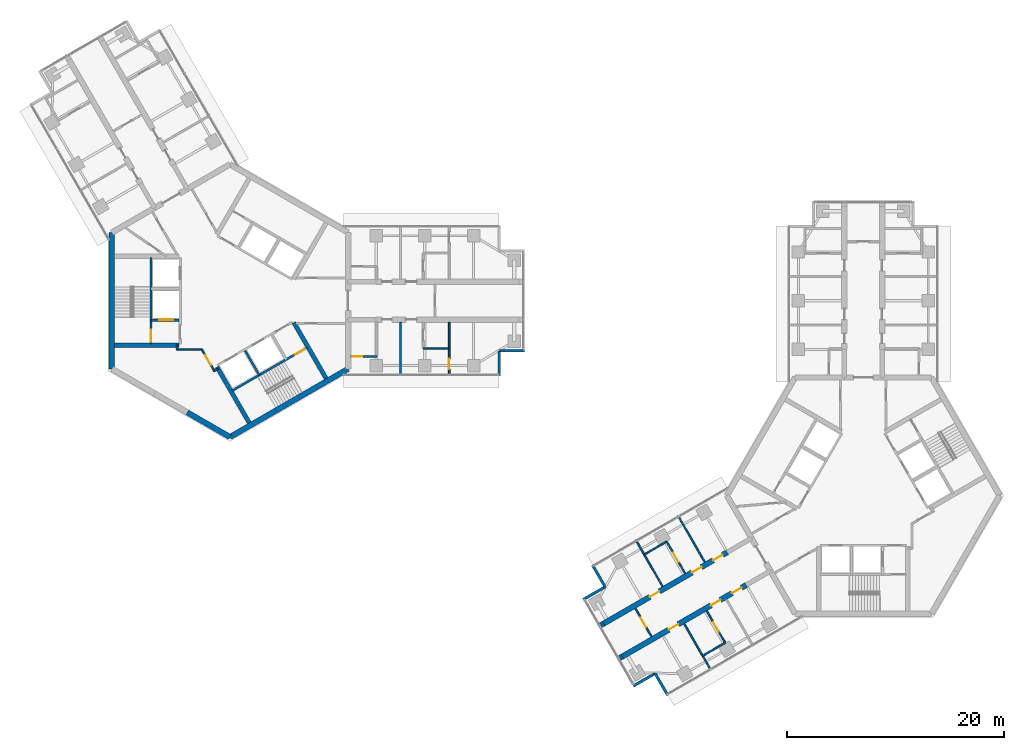
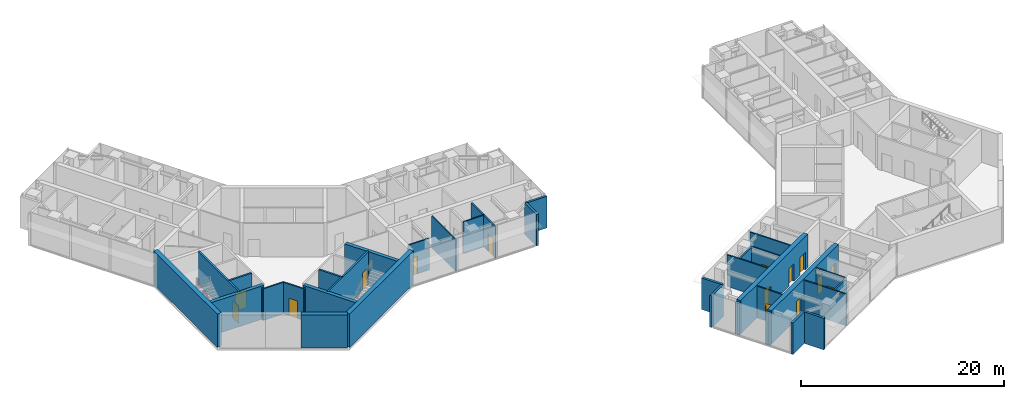
# One storey, part 11 of 17: 36 walls, 15 doors, 15 openings.
"""IFC4 building model written with IfcOpenShell, lengths in metres."""

from ifc_helpers import new_model, si_unit, direction, frame, frame_2d, origin, place, context, subcontext, project, spatial, rectangle, extrude, material, layer, layer_set, type_object, element, fill, save


model = new_model("IFC4")

# Units and contexts
model_context = context("Model", 3, precision=1e-05, world=origin(), true_north=direction((0.0, 1.0)))
body_context = subcontext(model_context, "Body", "Model", "MODEL_VIEW")
ifc_project = project(units=[si_unit("LENGTHUNIT", "METRE"), si_unit("AREAUNIT", "SQUARE_METRE"), si_unit("VOLUMEUNIT", "CUBIC_METRE"), si_unit("PLANEANGLEUNIT", "RADIAN"), si_unit("MASSUNIT", "GRAM", prefix="KILO")], contexts=[model_context])

# Site, building, storey
site_placement = place(None, origin())
site = spatial("IfcSite", under=ifc_project, at=site_placement, CompositionType="ELEMENT")
building_placement = place(site_placement, origin())
building = spatial("IfcBuilding", under=site, at=building_placement, Name="Upepo Twin Towers", CompositionType="ELEMENT")
storey_placement = place(building_placement, frame((0.0, 0.0, 206.5)))
storey = spatial("IfcBuildingStorey", under=building, at=storey_placement, Name="L50", CompositionType="ELEMENT", Elevation=206.5)

# Walls
ifc_material_1 = material(Name="Dense concrete blockwork", Category="masonry")
ifc_layer_1 = layer(ifc_material_1, 0.5)
ifc_layer_set_1 = layer_set([ifc_layer_1], Name="Buttress closer 500, blockwork with fire-stopping to the curtain wall")
wall_type_1 = type_object("IfcWallType", Name="Buttress closer 500, blockwork with fire-stopping to the curtain wall", PredefinedType="PARTITIONING", material=ifc_layer_set_1)
for number, where, z_axis, x_axis, name in (
    (1, (36.252197265625, -32.865478515625, 0.0), (0.0, 0.0, 1.0), (-0.86598763626, -0.500065409566, 0.0), "T2 L50 wing B buttress closer L"),
    (2, (34.502197265625, -29.83447265625, 0.0), (0.0, 0.0, 1.0), (-0.86598763626, -0.500065409566, 0.0), "T2 L50 wing B buttress closer R"),
):
    element("IfcWall", number, at=place(storey_placement, frame(where, z_axis=z_axis, x_axis=x_axis)), inside=storey, type_object=wall_type_1, Name=name, PredefinedType="PARTITIONING", context=body_context, shape_type="SweptSolid", body=[
        extrude(rectangle(XDim=0.28759765625, YDim=0.5, at=frame_2d((0.143798828125, 0.0))), origin(), (0.0, 0.0, 1.0), 3.800048828125),
    ])

# Wall, openings, doors
ifc_material_2 = material(Name="Concrete C60/75", Category="concrete")
ifc_layer_2 = layer(ifc_material_2, 0.5)
ifc_layer_set_2 = layer_set([ifc_layer_2], Name="Concrete C60/75")
wall_type_2 = type_object("IfcWallType", Name="Buttress wall 500 RC", PredefinedType="SHEAR", material=ifc_layer_set_2)
wall_1_placement = place(storey_placement, frame((47.68359375, -26.265625, 0.0), z_axis=(0.0, 0.0, 1.0), x_axis=(-0.866027579429, -0.499996231654, 0.0)))
wall_1 = element("IfcWall", 3, at=wall_1_placement, inside=storey, type_object=wall_type_2, Name="T2 wing B buttress wall L part 2", PredefinedType="SHEAR", context=body_context, shape_type="SweptSolid", body=[
    extrude(rectangle(XDim=13.19970703125, YDim=0.5, at=frame_2d((6.599853515625, 0.0))), origin(), (0.0, 0.0, 1.0), 4.0),
])
opening_1_placement = place(wall_1_placement, frame((0.5, 0.0, 0.0)))
opening_1 = element("IfcOpeningElement", 4, at=opening_1_placement, cuts=wall_1, Name="Opening D1", PredefinedType="OPENING", context=body_context, shape_type="SweptSolid", body=[
    extrude(rectangle(XDim=1.0, YDim=2.10009765625, at=frame_2d((0.5, 1.050048828125))), frame((0.0, 0.260009765625, 0.0), z_axis=(0.0, -1.0, 0.0), x_axis=(1.0, 0.0, 0.0)), (0.0, 0.0, 1.0), 0.52001953125),
])
opening_2_placement = place(wall_1_placement, frame((2.75, 0.0, 0.0)))
opening_2 = element("IfcOpeningElement", 5, at=opening_2_placement, cuts=wall_1, Name="Opening D1", PredefinedType="OPENING", context=body_context, shape_type="SweptSolid", body=[
    extrude(rectangle(XDim=1.0, YDim=2.10009765625, at=frame_2d((0.5, 1.050048828125))), frame((0.0, 0.260009765625, 0.0), z_axis=(0.0, -1.0, 0.0), x_axis=(1.0, 0.0, 0.0)), (0.0, 0.0, 1.0), 0.52001953125),
])
opening_3_placement = place(wall_1_placement, frame((7.25, 0.0, 0.0)))
opening_3 = element("IfcOpeningElement", 6, at=opening_3_placement, cuts=wall_1, Name="Opening D1", PredefinedType="OPENING", context=body_context, shape_type="SweptSolid", body=[
    extrude(rectangle(XDim=1.0, YDim=2.10009765625, at=frame_2d((0.5, 1.050048828125))), frame((0.0, 0.260009765625, 0.0), z_axis=(0.0, -1.0, 0.0), x_axis=(1.0, 0.0, 0.0)), (0.0, 0.0, 1.0), 0.52001953125),
])
ifc_material_3 = material(Name="Timber doorset", Category="wood")
door_type_1 = type_object("IfcDoorType", Name="Room door 1000 FD30", OperationType="SINGLE_SWING_LEFT", PredefinedType="DOOR", material=ifc_material_3)
door_1_placement = place(opening_1_placement, origin())
door_1 = element("IfcDoor", 7, at=door_1_placement, inside=storey, type_object=door_type_1, Name="T2 L50 tutorial room door", OperationType="SINGLE_SWING_LEFT", OverallHeight=2.10009765625, OverallWidth=1.0, PredefinedType="DOOR", context=body_context, shape_type="SweptSolid", body=[
    extrude(rectangle(XDim=1.0, YDim=2.10009765625, at=frame_2d((0.5, 1.050048828125))), frame((0.0, 0.02490234375, 0.0), z_axis=(0.0, -1.0, 0.0), x_axis=(1.0, 0.0, 0.0)), (0.0, 0.0, 1.0), 0.050048828125),
])
fill(opening_1, door_1)
door_2_placement = place(opening_2_placement, origin())
door_2 = element("IfcDoor", 8, at=door_2_placement, inside=storey, type_object=door_type_1, Name="T2 L50 staff office door", OperationType="SINGLE_SWING_LEFT", OverallHeight=2.10009765625, OverallWidth=1.0, PredefinedType="DOOR", context=body_context, shape_type="SweptSolid", body=[
    extrude(rectangle(XDim=1.0, YDim=2.10009765625, at=frame_2d((0.5, 1.050048828125))), frame((0.0, 0.02490234375, 0.0), z_axis=(0.0, -1.0, 0.0), x_axis=(1.0, 0.0, 0.0)), (0.0, 0.0, 1.0), 0.050048828125),
])
fill(opening_2, door_2)
door_3_placement = place(opening_3_placement, origin())
door_3 = element("IfcDoor", 9, at=door_3_placement, inside=storey, type_object=door_type_1, Name="T2 L50 seminar room door", OperationType="SINGLE_SWING_RIGHT", OverallHeight=2.10009765625, OverallWidth=1.0, PredefinedType="DOOR", context=body_context, shape_type="SweptSolid", body=[
    extrude(rectangle(XDim=1.0, YDim=2.10009765625, at=frame_2d((0.5, 1.050048828125))), frame((0.0, 0.02490234375, 0.0), z_axis=(0.0, -1.0, 0.0), x_axis=(1.0, 0.0, 0.0)), (0.0, 0.0, 1.0), 0.050048828125),
])
fill(opening_3, door_3)

wall_2_placement = place(storey_placement, frame((45.93359375, -23.234375, 0.0), z_axis=(0.0, 0.0, 1.0), x_axis=(-0.866019570528, -0.500010103361, 0.0)))
wall_2 = element("IfcWall", 10, at=wall_2_placement, inside=storey, type_object=wall_type_2, Name="T2 wing B buttress wall R part 2", PredefinedType="SHEAR", context=body_context, shape_type="SweptSolid", body=[
    extrude(rectangle(XDim=13.199951171875, YDim=0.5, at=frame_2d((6.60009765625, 0.0))), origin(), (0.0, 0.0, 1.0), 4.0),
])
opening_4_placement = place(wall_2_placement, frame((0.5, 0.0, 0.0)))
opening_4 = element("IfcOpeningElement", 11, at=opening_4_placement, cuts=wall_2, Name="Opening D1", PredefinedType="OPENING", context=body_context, shape_type="SweptSolid", body=[
    extrude(rectangle(XDim=1.0, YDim=2.10009765625, at=frame_2d((0.5, 1.050048828125))), frame((0.0, 0.260009765625, 0.0), z_axis=(0.0, -1.0, 0.0), x_axis=(1.0, 0.0, 0.0)), (0.0, 0.0, 1.0), 0.52001953125),
])
opening_5_placement = place(wall_2_placement, frame((2.75, 0.0, 0.0)))
opening_5 = element("IfcOpeningElement", 12, at=opening_5_placement, cuts=wall_2, Name="Opening D1", PredefinedType="OPENING", context=body_context, shape_type="SweptSolid", body=[
    extrude(rectangle(XDim=1.0, YDim=2.10009765625, at=frame_2d((0.5, 1.050048828125))), frame((0.0, 0.260009765625, 0.0), z_axis=(0.0, -1.0, 0.0), x_axis=(1.0, 0.0, 0.0)), (0.0, 0.0, 1.0), 0.52001953125),
])
opening_6_placement = place(wall_2_placement, frame((7.25, 0.0, 0.0)))
opening_6 = element("IfcOpeningElement", 13, at=opening_6_placement, cuts=wall_2, Name="Opening D1", PredefinedType="OPENING", context=body_context, shape_type="SweptSolid", body=[
    extrude(rectangle(XDim=1.0, YDim=2.10009765625, at=frame_2d((0.5, 1.050048828125))), frame((0.0, 0.260009765625, 0.0), z_axis=(0.0, -1.0, 0.0), x_axis=(1.0, 0.0, 0.0)), (0.0, 0.0, 1.0), 0.52001953125),
])
door_4_placement = place(opening_4_placement, origin())
door_4 = element("IfcDoor", 14, at=door_4_placement, inside=storey, type_object=door_type_1, Name="T2 L50 tutorial room door", OperationType="SINGLE_SWING_LEFT", OverallHeight=2.10009765625, OverallWidth=1.0, PredefinedType="DOOR", context=body_context, shape_type="SweptSolid", body=[
    extrude(rectangle(XDim=1.0, YDim=2.10009765625, at=frame_2d((0.5, 1.050048828125))), frame((0.0, 0.02490234375, 0.0), z_axis=(0.0, -1.0, 0.0), x_axis=(1.0, 0.0, 0.0)), (0.0, 0.0, 1.0), 0.050048828125),
])
fill(opening_4, door_4)
door_5_placement = place(opening_5_placement, origin())
door_5 = element("IfcDoor", 15, at=door_5_placement, inside=storey, type_object=door_type_1, Name="T2 L50 tutorial room door", OperationType="SINGLE_SWING_LEFT", OverallHeight=2.10009765625, OverallWidth=1.0, PredefinedType="DOOR", context=body_context, shape_type="SweptSolid", body=[
    extrude(rectangle(XDim=1.0, YDim=2.10009765625, at=frame_2d((0.5, 1.050048828125))), frame((0.0, 0.02490234375, 0.0), z_axis=(0.0, -1.0, 0.0), x_axis=(1.0, 0.0, 0.0)), (0.0, 0.0, 1.0), 0.050048828125),
])
fill(opening_5, door_5)
door_6_placement = place(opening_6_placement, origin())
door_6 = element("IfcDoor", 16, at=door_6_placement, inside=storey, type_object=door_type_1, Name="T2 L50 staff office door", OperationType="SINGLE_SWING_RIGHT", OverallHeight=2.10009765625, OverallWidth=1.0, PredefinedType="DOOR", context=body_context, shape_type="SweptSolid", body=[
    extrude(rectangle(XDim=1.0, YDim=2.10009765625, at=frame_2d((0.5, 1.050048828125))), frame((0.0, 0.02490234375, 0.0), z_axis=(0.0, -1.0, 0.0), x_axis=(1.0, 0.0, 0.0)), (0.0, 0.0, 1.0), 0.050048828125),
])
fill(opening_6, door_6)

# Walls
ifc_material_4 = material(Name="Concrete C60/75", Category="concrete")
ifc_layer_3 = layer(ifc_material_4, 0.5)
ifc_layer_set_3 = layer_set([ifc_layer_3], Name="Concrete C60/75")
wall_type_3 = type_object("IfcWallType", Name="Core wall 500 RC", PredefinedType="SHEAR", material=ifc_layer_set_3)
wall_3_placement = place(storey_placement, frame((-10.908447265625, 6.2978515625, 0.0), z_axis=(0.0, 0.0, 1.0), x_axis=(0.0, -1.0, 0.0)))
element("IfcWall", 17, at=wall_3_placement, inside=storey, type_object=wall_type_3, Name="T1 core wall 180", PredefinedType="SHEAR", context=body_context, shape_type="SweptSolid", body=[
    extrude(rectangle(XDim=12.595703125, YDim=0.5, at=frame_2d((6.2978515625, 0.0))), origin(), (0.0, 0.0, 1.0), 4.0),
])
wall_4_placement = place(storey_placement, frame((-3.938720703125, -10.32177734375, 0.0), z_axis=(0.0, 0.0, 1.0), x_axis=(0.866011268655, -0.500024481964, 0.0)))
element("IfcWall", 18, at=wall_4_placement, inside=storey, type_object=wall_type_3, Name="T1 core wall 240 L", PredefinedType="SHEAR", context=body_context, shape_type="SweptSolid", body=[
    extrude(rectangle(XDim=4.548095703125, YDim=0.5, at=frame_2d((2.27392578125, 0.0))), origin(), (0.0, 0.0, 1.0), 4.0),
])
wall_5_placement = place(storey_placement, frame((0.0, -12.595947265625, 0.0), z_axis=(0.0, 0.0, 1.0), x_axis=(0.866021940709, 0.500005998175, 0.0)))
element("IfcWall", 19, at=wall_5_placement, inside=storey, type_object=wall_type_3, Name="T1 core wall 300", PredefinedType="SHEAR", context=body_context, shape_type="SweptSolid", body=[
    extrude(rectangle(XDim=12.595947265625, YDim=0.5, at=frame_2d((6.2978515625, 0.0))), origin(), (0.0, 0.0, 1.0), 4.0),
])
ifc_material_5 = material(Name="Blockwork with anodised aluminium cladding", Category="masonry")
ifc_layer_4 = layer(ifc_material_5, 0.25)
ifc_layer_set_4 = layer_set([ifc_layer_4], Name="Notch cladding wall 250, pale metal")
wall_type_4 = type_object("IfcWallType", Name="Notch cladding wall 250, pale metal", PredefinedType="STANDARD", material=ifc_layer_set_4)
for number, where, z_axis, x_axis, name in (
    (20, (24.875, -6.949951171875, 0.0), (0.0, 0.0, 1.0), (0.0, 1.0, 0.0), "T1 L50 wing A notch wall R1"),
    (21, (24.875, -4.625, 0.0), (0.0, 0.0, 1.0), (1.0, 0.0, 0.0), "T1 L50 wing A notch wall R2"),
    (22, (40.4326171875, -36.456298828125, 0.0), (0.0, 0.0, 1.0), (-0.500046648681, 0.865998469481, 0.0), "T2 L50 wing B notch wall L1"),
    (23, (39.27001953125, -34.44287109375, 0.0), (0.0, 0.0, 1.0), (-0.865998469481, -0.500046648681, 0.0), "T2 L50 wing B notch wall L2"),
    (24, (33.482666015625, -24.418701171875, 0.0), (0.0, 0.0, 1.0), (0.499967891604, -0.866043940782, 0.0), "T2 L50 wing B notch wall R1"),
    (25, (34.64501953125, -26.43212890625, 0.0), (0.0, 0.0, 1.0), (-0.865998469481, -0.500046648681, 0.0), "T2 L50 wing B notch wall R2"),
):
    element("IfcWall", number, at=place(storey_placement, frame(where, z_axis=z_axis, x_axis=x_axis)), inside=storey, type_object=wall_type_4, Name=name, PredefinedType="STANDARD", context=body_context, shape_type="SweptSolid", body=[
        extrude(rectangle(XDim=2.324951171875, YDim=0.25, at=frame_2d((1.16259765625, 0.0))), origin(), (0.0, 0.0, 1.0), 3.800048828125),
    ])

# Wall, opening, door
ifc_material_6 = material(Name="Concrete C40/50", Category="concrete")
ifc_layer_5 = layer(ifc_material_6, 0.199951171875)
ifc_layer_set_5 = layer_set([ifc_layer_5], Name="Concrete C40/50")
wall_type_5 = type_object("IfcWallType", Name="Shaft wall 200 RC", PredefinedType="SHEAR", material=ifc_layer_set_5)
wall_6_placement = place(storey_placement, frame((-4.699951171875, -1.800048828125, 0.0), z_axis=(0.0, 0.0, 1.0), x_axis=(-1.0, 0.0, 0.0)))
wall_6 = element("IfcWall", 26, at=wall_6_placement, inside=storey, type_object=wall_type_5, Name="T1 core W180 lobby wall", PredefinedType="SHEAR", context=body_context, shape_type="SweptSolid", body=[
    extrude(rectangle(XDim=2.60009765625, YDim=0.199951171875, at=frame_2d((1.300048828125, 0.0))), origin(), (0.0, 0.0, 1.0), 4.0),
])
opening_7_placement = place(wall_6_placement, frame((0.550048828125, 0.0, 0.0)))
opening_7 = element("IfcOpeningElement", 27, at=opening_7_placement, cuts=wall_6, Name="Opening LD2", PredefinedType="OPENING", context=body_context, shape_type="SweptSolid", body=[
    extrude(rectangle(XDim=1.300048828125, YDim=2.199951171875, at=frame_2d((0.64990234375, 1.10009765625))), frame((0.0, 0.10986328125, 0.0), z_axis=(0.0, -1.0, 0.0), x_axis=(1.0, 0.0, 0.0)), (0.0, 0.0, 1.0), 0.219970703125),
])
ifc_material_7 = material(Name="Steel doorset", Category="steel")
door_type_2 = type_object("IfcDoorType", Name="Firefighting lift landing door 1300", OperationType="DOUBLE_DOOR_SLIDING", PredefinedType="DOOR", material=ifc_material_7)
door_7_placement = place(opening_7_placement, origin())
door_7 = element("IfcDoor", 28, at=door_7_placement, inside=storey, type_object=door_type_2, Name="T1 L50 firefighting lift landing door", OperationType="DOUBLE_DOOR_SLIDING", OverallHeight=2.199951171875, OverallWidth=1.300048828125, PredefinedType="DOOR", context=body_context, shape_type="SweptSolid", body=[
    extrude(rectangle(XDim=1.300048828125, YDim=2.199951171875, at=frame_2d((0.64990234375, 1.10009765625))), frame((0.0, 0.02490234375, 0.0), z_axis=(0.0, -1.0, 0.0), x_axis=(1.0, 0.0, 0.0)), (0.0, 0.0, 1.0), 0.050048828125),
])
fill(opening_7, door_7)

wall_7_placement = place(storey_placement, frame((-7.300048828125, 4.0, 0.0), z_axis=(0.0, 0.0, 1.0), x_axis=(0.0, -1.0, 0.0)))
wall_7 = element("IfcWall", 29, at=wall_7_placement, inside=storey, type_object=wall_type_5, Name="T1 core W180 stair wall", PredefinedType="SHEAR", context=body_context, shape_type="SweptSolid", body=[
    extrude(rectangle(XDim=8.0, YDim=0.199951171875, at=frame_2d((4.0, 0.0))), origin(), (0.0, 0.0, 1.0), 4.0),
])
opening_8_placement = place(wall_7_placement, frame((6.699951171875, 0.0, 0.0)))
opening_8 = element("IfcOpeningElement", 30, at=opening_8_placement, cuts=wall_7, Name="Opening D3", PredefinedType="OPENING", context=body_context, shape_type="SweptSolid", body=[
    extrude(rectangle(XDim=1.10009765625, YDim=2.10009765625, at=frame_2d((0.550048828125, 1.050048828125))), frame((0.0, 0.10986328125, 0.0), z_axis=(0.0, -1.0, 0.0), x_axis=(1.0, 0.0, 0.0)), (0.0, 0.0, 1.0), 0.219970703125),
])
ifc_material_8 = material(Name="Timber doorset", Category="wood")
door_type_3 = type_object("IfcDoorType", Name="Stair door 1100 FD60", OperationType="SINGLE_SWING_LEFT", PredefinedType="DOOR", material=ifc_material_8)
door_8_placement = place(opening_8_placement, origin())
door_8 = element("IfcDoor", 31, at=door_8_placement, inside=storey, type_object=door_type_3, Name="T1 L50 stair door", OperationType="SINGLE_SWING_RIGHT", OverallHeight=2.10009765625, OverallWidth=1.10009765625, PredefinedType="DOOR", context=body_context, shape_type="SweptSolid", body=[
    extrude(rectangle(XDim=1.10009765625, YDim=2.10009765625, at=frame_2d((0.550048828125, 1.050048828125))), frame((0.0, 0.02490234375, 0.0), z_axis=(0.0, -1.0, 0.0), x_axis=(1.0, 0.0, 0.0)), (0.0, 0.0, 1.0), 0.050048828125),
])
fill(opening_8, door_8)

# Wall
wall_8_placement = place(storey_placement, frame((1.3974609375, -4.620361328125, 0.0), z_axis=(0.0, 0.0, 1.0), x_axis=(0.499936506574, -0.866062058628, 0.0)))
element("IfcWall", 32, at=wall_8_placement, inside=storey, type_object=wall_type_5, Name="T1 core W300 shaft divider", PredefinedType="SHEAR", context=body_context, shape_type="SweptSolid", body=[
    extrude(rectangle(XDim=2.599853515625, YDim=0.199951171875, at=frame_2d((1.2998046875, 0.0))), origin(), (0.0, 0.0, 1.0), 4.0),
])

# Wall, opening, door
wall_9_placement = place(storey_placement, frame((0.185791015625, -8.322021484375, 0.0), z_axis=(0.0, 0.0, 1.0), x_axis=(0.866026010844, 0.49999894854, 0.0)))
wall_9 = element("IfcWall", 33, at=wall_9_placement, inside=storey, type_object=wall_type_5, Name="T1 core W300 stair wall", PredefinedType="SHEAR", context=body_context, shape_type="SweptSolid", body=[
    extrude(rectangle(XDim=8.0, YDim=0.199951171875, at=frame_2d((4.0, 0.0))), origin(), (0.0, 0.0, 1.0), 4.0),
])
opening_9_placement = place(wall_9_placement, frame((6.699951171875, 0.0, 0.0)))
opening_9 = element("IfcOpeningElement", 34, at=opening_9_placement, cuts=wall_9, Name="Opening D3", PredefinedType="OPENING", context=body_context, shape_type="SweptSolid", body=[
    extrude(rectangle(XDim=1.10009765625, YDim=2.10009765625, at=frame_2d((0.550048828125, 1.050048828125))), frame((0.0, 0.10986328125, 0.0), z_axis=(0.0, -1.0, 0.0), x_axis=(1.0, 0.0, 0.0)), (0.0, 0.0, 1.0), 0.219970703125),
])
door_9_placement = place(opening_9_placement, origin())
door_9 = element("IfcDoor", 35, at=door_9_placement, inside=storey, type_object=door_type_3, Name="T1 L50 stair door", OperationType="SINGLE_SWING_RIGHT", OverallHeight=2.10009765625, OverallWidth=1.10009765625, PredefinedType="DOOR", context=body_context, shape_type="SweptSolid", body=[
    extrude(rectangle(XDim=1.10009765625, YDim=2.10009765625, at=frame_2d((0.550048828125, 1.050048828125))), frame((0.0, 0.02490234375, 0.0), z_axis=(0.0, -1.0, 0.0), x_axis=(1.0, 0.0, 0.0)), (0.0, 0.0, 1.0), 0.050048828125),
])
fill(opening_9, door_9)

# Walls
ifc_material_9 = material(Name="Concrete C40/50", Category="concrete")
ifc_layer_6 = layer(ifc_material_9, 0.39990234375)
ifc_layer_set_6 = layer_set([ifc_layer_6], Name="Concrete C40/50")
wall_type_6 = type_object("IfcWallType", Name="Shaft wall 400 RC", PredefinedType="SHEAR", material=ifc_layer_set_6)
for number, where, z_axis, x_axis, name in (
    (36, (-4.699951171875, -4.10009765625, 0.0), (0.0, 0.0, 1.0), (-1.0, 0.0, 0.0), "T1 core W180 side wall N"),
    (37, (5.900634765625, -2.020263671875, 0.0), (0.0, 0.0, 1.0), (0.500003832394, -0.86602319114, 0.0), "T1 core W300 side wall N"),
):
    element("IfcWall", number, at=place(storey_placement, frame(where, z_axis=z_axis, x_axis=x_axis)), inside=storey, type_object=wall_type_6, Name=name, PredefinedType="SHEAR", context=body_context, shape_type="SweptSolid", body=[
        extrude(rectangle(XDim=5.95849609375, YDim=0.39990234375, at=frame_2d((2.979248046875, 0.0))), origin(), (0.0, 0.0, 1.0), 4.0),
    ])
wall_10_placement = place(storey_placement, frame((-1.20068359375, -6.120361328125, 0.0), z_axis=(0.0, 0.0, 1.0), x_axis=(0.500021575205, -0.866012946976, 0.0)))
element("IfcWall", 38, at=wall_10_placement, inside=storey, type_object=wall_type_6, Name="T1 core W300 side wall S", PredefinedType="SHEAR", context=body_context, shape_type="SweptSolid", body=[
    extrude(rectangle(XDim=5.958251953125, YDim=0.39990234375, at=frame_2d((2.97900390625, 0.0))), origin(), (0.0, 0.0, 1.0), 4.0),
])
ifc_material_10 = material(Name="Gypsum board on steel studs", Category="steel")
ifc_layer_7 = layer(ifc_material_10, 0.14990234375)
ifc_layer_set_7 = layer_set([ifc_layer_7], Name="Teaching partition 150 acoustic")
wall_type_7 = type_object("IfcWallType", Name="Teaching partition 150 acoustic", PredefinedType="PARTITIONING", material=ifc_layer_set_7)
wall_11_placement = place(storey_placement, frame((15.75, -2.0, 0.0), z_axis=(0.0, 0.0, 1.0), x_axis=(0.0, -1.0, 0.0)))
element("IfcWall", 39, at=wall_11_placement, inside=storey, type_object=wall_type_7, Name="T1 partition AR at 15.75", PredefinedType="PARTITIONING", context=body_context, shape_type="SweptSolid", body=[
    extrude(rectangle(XDim=4.75, YDim=0.14990234375, at=frame_2d((2.375, 0.0))), origin(), (0.0, 0.0, 1.0), 3.800048828125),
])

# Wall, opening, door
wall_12_placement = place(storey_placement, frame((20.25, -2.0, 0.0), z_axis=(0.0, 0.0, 1.0), x_axis=(0.0, -1.0, 0.0)))
wall_12 = element("IfcWall", 40, at=wall_12_placement, inside=storey, type_object=wall_type_7, Name="T1 partition AR at 20.25", PredefinedType="PARTITIONING", context=body_context, shape_type="SweptSolid", body=[
    extrude(rectangle(XDim=4.75, YDim=0.14990234375, at=frame_2d((2.375, 0.0))), origin(), (0.0, 0.0, 1.0), 3.800048828125),
])
opening_10_placement = place(wall_12_placement, frame((3.35009765625, 0.0, 0.0)))
opening_10 = element("IfcOpeningElement", 41, at=opening_10_placement, cuts=wall_12, Name="Opening D1", PredefinedType="OPENING", context=body_context, shape_type="SweptSolid", body=[
    extrude(rectangle(XDim=1.0, YDim=2.10009765625, at=frame_2d((0.5, 1.050048828125))), frame((0.0, 0.0849609375, 0.0), z_axis=(0.0, -1.0, 0.0), x_axis=(1.0, 0.0, 0.0)), (0.0, 0.0, 1.0), 0.169921875),
])
door_10_placement = place(opening_10_placement, origin())
door_10 = element("IfcDoor", 42, at=door_10_placement, inside=storey, type_object=door_type_1, Name="T1 L50 connecting door", OperationType="SINGLE_SWING_RIGHT", OverallHeight=2.10009765625, OverallWidth=1.0, PredefinedType="DOOR", context=body_context, shape_type="SweptSolid", body=[
    extrude(rectangle(XDim=1.0, YDim=2.10009765625, at=frame_2d((0.5, 1.050048828125))), frame((0.0, 0.02490234375, 0.0), z_axis=(0.0, -1.0, 0.0), x_axis=(1.0, 0.0, 0.0)), (0.0, 0.0, 1.0), 0.050048828125),
])
fill(opening_10, door_10)

# Wall
wall_13_placement = place(storey_placement, frame((17.85009765625, -4.39990234375, 0.0), z_axis=(0.0, 0.0, 1.0), x_axis=(1.0, 0.0, 0.0)))
element("IfcWall", 43, at=wall_13_placement, inside=storey, type_object=wall_type_7, Name="T1 inner room partition AR at 17.85", PredefinedType="PARTITIONING", context=body_context, shape_type="SweptSolid", body=[
    extrude(rectangle(XDim=2.39990234375, YDim=0.14990234375, at=frame_2d((1.199951171875, 0.0))), origin(), (0.0, 0.0, 1.0), 3.800048828125),
])

# Wall, opening, door
wall_14_placement = place(storey_placement, frame((11.157958984375, -5.14990234375, 0.0), z_axis=(0.0, 0.0, 1.0), x_axis=(1.0, 0.0, 0.0)))
wall_14 = element("IfcWall", 44, at=wall_14_placement, inside=storey, type_object=wall_type_7, Name="T1 WC bay partition AR at 11.16", PredefinedType="PARTITIONING", context=body_context, shape_type="SweptSolid", body=[
    extrude(rectangle(XDim=2.400146484375, YDim=0.14990234375, at=frame_2d((1.2001953125, 0.0))), origin(), (0.0, 0.0, 1.0), 3.800048828125),
])
opening_11_placement = place(wall_14_placement, frame((0.14990234375, 0.0, 0.0)))
opening_11 = element("IfcOpeningElement", 45, at=opening_11_placement, cuts=wall_14, Name="Opening D14", PredefinedType="OPENING", context=body_context, shape_type="SweptSolid", body=[
    extrude(rectangle(XDim=0.89990234375, YDim=2.10009765625, at=frame_2d((0.449951171875, 1.050048828125))), frame((0.0, 0.0849609375, 0.0), z_axis=(0.0, -1.0, 0.0), x_axis=(1.0, 0.0, 0.0)), (0.0, 0.0, 1.0), 0.169921875),
])
ifc_material_11 = material(Name="Timber doorset", Category="wood")
door_type_4 = type_object("IfcDoorType", Name="Office door 900 FD30", OperationType="SINGLE_SWING_LEFT", PredefinedType="DOOR", material=ifc_material_11)
door_11_placement = place(opening_11_placement, origin())
door_11 = element("IfcDoor", 46, at=door_11_placement, inside=storey, type_object=door_type_4, Name="T1 L50 WC bay inner room door", OperationType="SINGLE_SWING_LEFT", OverallHeight=2.10009765625, OverallWidth=0.89990234375, PredefinedType="DOOR", context=body_context, shape_type="SweptSolid", body=[
    extrude(rectangle(XDim=0.89990234375, YDim=2.10009765625, at=frame_2d((0.449951171875, 1.050048828125))), frame((0.0, 0.02490234375, 0.0), z_axis=(0.0, -1.0, 0.0), x_axis=(1.0, 0.0, 0.0)), (0.0, 0.0, 1.0), 0.050048828125),
])
fill(opening_11, door_11)

wall_15_placement = place(storey_placement, frame((-1.43701171875, -6.5107421875, 0.0), z_axis=(0.0, 0.0, 1.0), x_axis=(-0.500074377092, 0.865982457891, 0.0)))
wall_15 = element("IfcWall", 47, at=wall_15_placement, inside=storey, type_object=wall_type_7, Name="T1 core room partition 1", PredefinedType="PARTITIONING", context=body_context, shape_type="SweptSolid", body=[
    extrude(rectangle(XDim=2.342041015625, YDim=0.14990234375, at=frame_2d((1.1708984375, 0.0))), origin(), (0.0, 0.0, 1.0), 3.800048828125),
])
opening_12_placement = place(wall_15_placement, frame((0.6708984375, 0.0, 0.0)))
opening_12 = element("IfcOpeningElement", 48, at=opening_12_placement, cuts=wall_15, Name="Opening D1", PredefinedType="OPENING", context=body_context, shape_type="SweptSolid", body=[
    extrude(rectangle(XDim=1.0, YDim=2.10009765625, at=frame_2d((0.5, 1.050048828125))), frame((0.0, 0.0849609375, 0.0), z_axis=(0.0, -1.0, 0.0), x_axis=(1.0, 0.0, 0.0)), (0.0, 0.0, 1.0), 0.169921875),
])
door_12_placement = place(opening_12_placement, origin())
door_12 = element("IfcDoor", 49, at=door_12_placement, inside=storey, type_object=door_type_1, Name="T1 L50 core room door K1", OperationType="SINGLE_SWING_RIGHT", OverallHeight=2.10009765625, OverallWidth=1.0, PredefinedType="DOOR", context=body_context, shape_type="SweptSolid", body=[
    extrude(rectangle(XDim=1.0, YDim=2.10009765625, at=frame_2d((0.5, 1.050048828125))), frame((0.0, 0.02490234375, 0.0), z_axis=(0.0, -1.0, 0.0), x_axis=(1.0, 0.0, 0.0)), (0.0, 0.0, 1.0), 0.050048828125),
])
fill(opening_12, door_12)

# Walls
wall_16_placement = place(storey_placement, frame((-2.578125, -4.5, 0.0), z_axis=(0.0, 0.0, 1.0), x_axis=(-1.0, 0.0, 0.0)))
element("IfcWall", 50, at=wall_16_placement, inside=storey, type_object=wall_type_7, Name="T1 core room partition 2", PredefinedType="PARTITIONING", context=body_context, shape_type="SweptSolid", body=[
    extrude(rectangle(XDim=2.341796875, YDim=0.14990234375, at=frame_2d((1.1708984375, 0.0))), origin(), (0.0, 0.0, 1.0), 3.800048828125),
])
for number, where, z_axis, x_axis, name in (
    (51, (-4.89990234375, -4.52001953125, 0.0), (0.0, 0.0, 1.0), (0.0, 1.0, 0.0), "T1 core room partition 3"),
    (52, (-1.092041015625, -6.28857421875, 0.0), (0.0, 0.0, 1.0), (-0.866138304741, -0.499804398801, 0.0), "T1 core room partition 8"),
):
    element("IfcWall", number, at=place(storey_placement, frame(where, z_axis=z_axis, x_axis=x_axis)), inside=storey, type_object=wall_type_7, Name=name, PredefinedType="PARTITIONING", context=body_context, shape_type="SweptSolid", body=[
        extrude(rectangle(XDim=0.429931640625, YDim=0.14990234375, at=frame_2d((0.21484375, 0.0))), origin(), (0.0, 0.0, 1.0), 3.800048828125),
    ])
wall_17_placement = place(storey_placement, frame((41.962890625, -29.85693359375, 0.0), z_axis=(0.0, 0.0, 1.0), x_axis=(0.499986429846, -0.866033238375, 0.0)))
element("IfcWall", 53, at=wall_17_placement, inside=storey, type_object=wall_type_7, Name="T2 partition BL at 20.25", PredefinedType="PARTITIONING", context=body_context, shape_type="SweptSolid", body=[
    extrude(rectangle(XDim=4.750244140625, YDim=0.14990234375, at=frame_2d((2.375, 0.0))), origin(), (0.0, 0.0, 1.0), 3.800048828125),
])
wall_18_placement = place(storey_placement, frame((45.741455078125, -31.6015625, 0.0), z_axis=(0.0, 0.0, 1.0), x_axis=(-0.866024647952, -0.500001309137, 0.0)))
element("IfcWall", 54, at=wall_18_placement, inside=storey, type_object=wall_type_7, Name="T2 inner room partition BL at 17.85", PredefinedType="PARTITIONING", context=body_context, shape_type="SweptSolid", body=[
    extrude(rectangle(XDim=2.39990234375, YDim=0.14990234375, at=frame_2d((1.199951171875, 0.0))), origin(), (0.0, 0.0, 1.0), 3.800048828125),
])

# Wall, opening, door
wall_19_placement = place(storey_placement, frame((44.04150390625, -28.656982421875, 0.0), z_axis=(0.0, 0.0, 1.0), x_axis=(0.499977295307, -0.866038511948, 0.0)))
wall_19 = element("IfcWall", 55, at=wall_19_placement, inside=storey, type_object=wall_type_7, Name="T2 inner room partition BL end at 17.85", PredefinedType="PARTITIONING", context=body_context, shape_type="SweptSolid", body=[
    extrude(rectangle(XDim=3.400146484375, YDim=0.14990234375, at=frame_2d((1.7001953125, 0.0))), origin(), (0.0, 0.0, 1.0), 3.800048828125),
])
opening_13_placement = place(wall_19_placement, frame((1.199951171875, 0.0, 0.0)))
opening_13 = element("IfcOpeningElement", 56, at=opening_13_placement, cuts=wall_19, Name="Opening D1", PredefinedType="OPENING", context=body_context, shape_type="SweptSolid", body=[
    extrude(rectangle(XDim=1.0, YDim=2.10009765625, at=frame_2d((0.5, 1.050048828125))), frame((0.0, 0.0849609375, 0.0), z_axis=(0.0, -1.0, 0.0), x_axis=(1.0, 0.0, 0.0)), (0.0, 0.0, 1.0), 0.169921875),
])
door_13_placement = place(opening_13_placement, origin())
door_13 = element("IfcDoor", 57, at=door_13_placement, inside=storey, type_object=door_type_1, Name="T2 L50 inner room door", OperationType="SINGLE_SWING_LEFT", OverallHeight=2.10009765625, OverallWidth=1.0, PredefinedType="DOOR", context=body_context, shape_type="SweptSolid", body=[
    extrude(rectangle(XDim=1.0, YDim=2.10009765625, at=frame_2d((0.5, 1.050048828125))), frame((0.0, 0.02490234375, 0.0), z_axis=(0.0, -1.0, 0.0), x_axis=(1.0, 0.0, 0.0)), (0.0, 0.0, 1.0), 0.050048828125),
])
fill(opening_13, door_13)

# Walls
for number, where, z_axis, x_axis, name in (
    (58, (43.860107421875, -24.14306640625, 0.0), (0.0, 0.0, 1.0), (-0.499986429846, 0.866033238375, 0.0), "T2 partition BR at 15.75"),
    (59, (39.962890625, -26.39306640625, 0.0), (0.0, 0.0, 1.0), (-0.499986429846, 0.866033238375, 0.0), "T2 partition BR at 20.25"),
):
    element("IfcWall", number, at=place(storey_placement, frame(where, z_axis=z_axis, x_axis=x_axis)), inside=storey, type_object=wall_type_7, Name=name, PredefinedType="PARTITIONING", context=body_context, shape_type="SweptSolid", body=[
        extrude(rectangle(XDim=4.750244140625, YDim=0.14990234375, at=frame_2d((2.375, 0.0))), origin(), (0.0, 0.0, 1.0), 3.800048828125),
    ])
wall_20_placement = place(storey_placement, frame((40.341552734375, -22.24853515625, 0.0), z_axis=(0.0, 0.0, 1.0), x_axis=(-0.866050077142, -0.499957262057, 0.0)))
element("IfcWall", 60, at=wall_20_placement, inside=storey, type_object=wall_type_7, Name="T2 inner room partition BR at 17.85", PredefinedType="PARTITIONING", context=body_context, shape_type="SweptSolid", body=[
    extrude(rectangle(XDim=2.400146484375, YDim=0.14990234375, at=frame_2d((1.2001953125, 0.0))), origin(), (0.0, 0.0, 1.0), 3.800048828125),
])

# Wall, opening, door
wall_21_placement = place(storey_placement, frame((42.04150390625, -25.19287109375, 0.0), z_axis=(0.0, 0.0, 1.0), x_axis=(-0.500008388397, 0.866020560687, 0.0)))
wall_21 = element("IfcWall", 61, at=wall_21_placement, inside=storey, type_object=wall_type_7, Name="T2 inner room partition BR end at 17.85", PredefinedType="PARTITIONING", context=body_context, shape_type="SweptSolid", body=[
    extrude(rectangle(XDim=3.39990234375, YDim=0.14990234375, at=frame_2d((1.699951171875, 0.0))), origin(), (0.0, 0.0, 1.0), 3.800048828125),
])
opening_14_placement = place(wall_21_placement, frame((1.199951171875, 0.0, 0.0)))
opening_14 = element("IfcOpeningElement", 62, at=opening_14_placement, cuts=wall_21, Name="Opening D1", PredefinedType="OPENING", context=body_context, shape_type="SweptSolid", body=[
    extrude(rectangle(XDim=1.0, YDim=2.10009765625, at=frame_2d((0.5, 1.050048828125))), frame((0.0, 0.0849609375, 0.0), z_axis=(0.0, -1.0, 0.0), x_axis=(1.0, 0.0, 0.0)), (0.0, 0.0, 1.0), 0.169921875),
])
door_14_placement = place(opening_14_placement, origin())
door_14 = element("IfcDoor", 63, at=door_14_placement, inside=storey, type_object=door_type_1, Name="T2 L50 inner room door", OperationType="SINGLE_SWING_LEFT", OverallHeight=2.10009765625, OverallWidth=1.0, PredefinedType="DOOR", context=body_context, shape_type="SweptSolid", body=[
    extrude(rectangle(XDim=1.0, YDim=2.10009765625, at=frame_2d((0.5, 1.050048828125))), frame((0.0, 0.02490234375, 0.0), z_axis=(0.0, -1.0, 0.0), x_axis=(1.0, 0.0, 0.0)), (0.0, 0.0, 1.0), 0.050048828125),
])
fill(opening_14, door_14)

wall_22_placement = place(storey_placement, frame((37.441650390625, -28.426025390625, 0.0), z_axis=(0.0, 0.0, 1.0), x_axis=(0.50002537861, -0.866010750942, 0.0)))
wall_22 = element("IfcWall", 64, at=wall_22_placement, inside=storey, type_object=wall_type_7, Name="T2 corridor end partition B at 23.45", PredefinedType="PARTITIONING", context=body_context, shape_type="SweptSolid", body=[
    extrude(rectangle(XDim=2.999755859375, YDim=0.14990234375, at=frame_2d((1.5, 0.0))), origin(), (0.0, 0.0, 1.0), 3.800048828125),
])
opening_15_placement = place(wall_22_placement, frame((1.0, 0.0, 0.0)))
opening_15 = element("IfcOpeningElement", 65, at=opening_15_placement, cuts=wall_22, Name="Opening D1", PredefinedType="OPENING", context=body_context, shape_type="SweptSolid", body=[
    extrude(rectangle(XDim=1.0, YDim=2.10009765625, at=frame_2d((0.5, 1.050048828125))), frame((0.0, 0.0849609375, 0.0), z_axis=(0.0, -1.0, 0.0), x_axis=(1.0, 0.0, 0.0)), (0.0, 0.0, 1.0), 0.169921875),
])
door_15_placement = place(opening_15_placement, origin())
door_15 = element("IfcDoor", 66, at=door_15_placement, inside=storey, type_object=door_type_1, Name="T2 L50 breakout study room door", OperationType="SINGLE_SWING_RIGHT", OverallHeight=2.10009765625, OverallWidth=1.0, PredefinedType="DOOR", context=body_context, shape_type="SweptSolid", body=[
    extrude(rectangle(XDim=1.0, YDim=2.10009765625, at=frame_2d((0.5, 1.050048828125))), frame((0.0, 0.02490234375, 0.0), z_axis=(0.0, -1.0, 0.0), x_axis=(1.0, 0.0, 0.0)), (0.0, 0.0, 1.0), 0.050048828125),
])
fill(opening_15, door_15)

save(model, "model.ifc")
